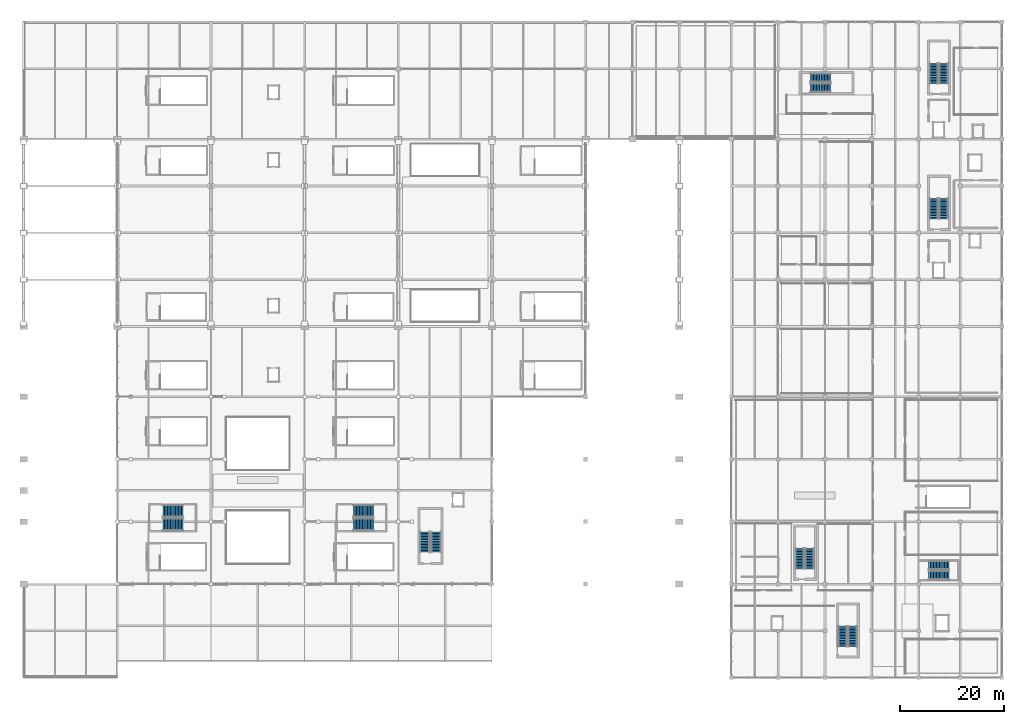
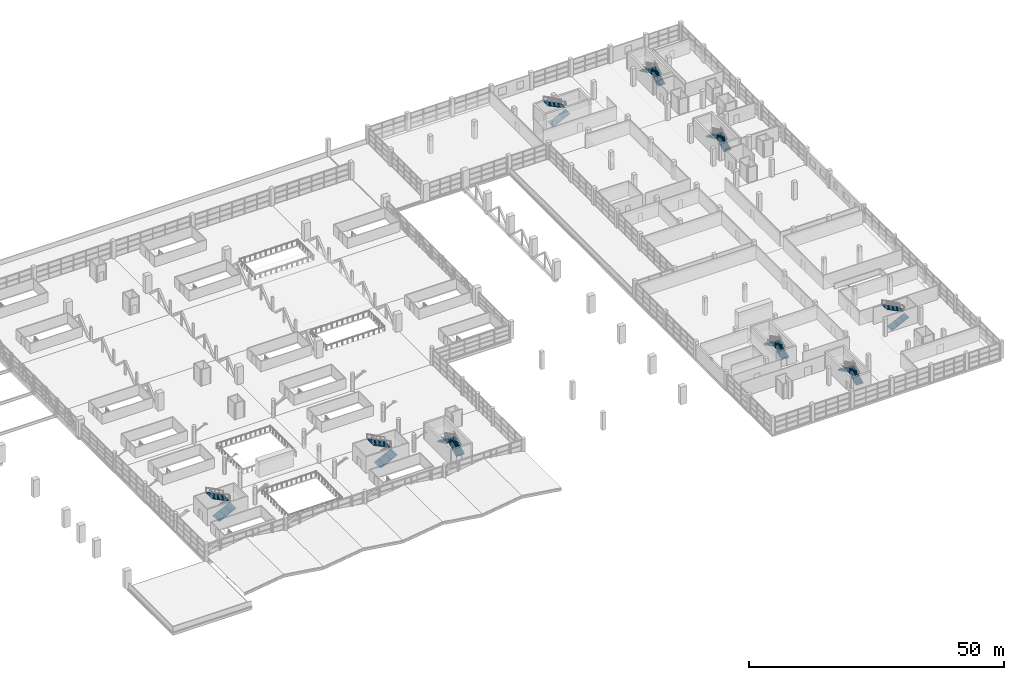
# One storey, part 124 of 136: 18 stair flights, 9 elements without a shape of their own.
"""IFC4 building model written with IfcOpenShell, lengths in metres."""

from ifc_helpers import new_model, si_unit, direction, frame, origin, place, context, subcontext, project, spatial, polyline, outline, extrude, material, type_object, element, aggregate, save


model = new_model("IFC4")

# Units and contexts
model_context = context("Model", 3, precision=1e-05, world=origin(), true_north=direction((0.0, 1.0)))
body_context = subcontext(model_context, "Body", "Model", "MODEL_VIEW")
ifc_project = project(units=[si_unit("LENGTHUNIT", "METRE"), si_unit("AREAUNIT", "SQUARE_METRE"), si_unit("VOLUMEUNIT", "CUBIC_METRE"), si_unit("PLANEANGLEUNIT", "RADIAN"), si_unit("MASSUNIT", "GRAM", prefix="KILO")], contexts=[model_context])

# Site, building, storey
site_placement = place(None, origin())
site = spatial("IfcSite", under=ifc_project, at=site_placement, CompositionType="ELEMENT")
building_placement = place(site_placement, origin())
building = spatial("IfcBuilding", under=site, at=building_placement, Name="Chuanluo Vaults Station", CompositionType="ELEMENT")
storey_placement = place(building_placement, frame((0.0, 0.0, 6.60009765625)))
storey = spatial("IfcBuildingStorey", under=building, at=storey_placement, Name="L01", CompositionType="ELEMENT", Elevation=6.60009765625)

# Stair, stair flights
ifc_material_1 = material(Name="Concrete C40", Category="concrete")
stair_type_1 = type_object("IfcStairType", Name="STR-TWO-1600", PredefinedType="HALF_TURN_STAIR", material=ifc_material_1)
stair_1_placement = place(storey_placement, origin())
stair_1 = element("IfcStair", 1, at=stair_1_placement, inside=storey, type_object=stair_type_1, Name="L01 ST-01", PredefinedType="HALF_TURN_STAIR")
ifc_material_2 = material(Name="Concrete C40", Category="concrete")
stair_flight_type_1 = type_object("IfcStairFlightType", Name="SFL-STR-1600", PredefinedType="STRAIGHT", material=ifc_material_2)
stair_flight_1_placement = place(storey_placement, frame((176.844970703125, 88.1875, 0.0), z_axis=(0.0, 0.0, 1.0), x_axis=(0.0, 1.0, 0.0)))
stair_flight_1 = element("IfcStairFlight", 2, at=stair_flight_1_placement, type_object=stair_flight_type_1, Name="ST-01 flight 1", NumberOfRisers=14, NumberOfTreads=13, PredefinedType="STRAIGHT", RiserHeight=0.15, TreadLength=0.3, context=body_context, shape_type="SweptSolid", body=[
    extrude(outline(polyline([(0.0, 0.0), (0.0, 0.14990234375), (0.300048828125, 0.14990234375), (0.300048828125, 0.300048828125), (0.60009765625, 0.300048828125), (0.60009765625, 0.449951171875), (0.89990234375, 0.449951171875), (0.89990234375, 0.60009765625), (1.199951171875, 0.60009765625), (1.199951171875, 0.75), (1.5, 0.75), (1.5, 0.89990234375), (1.800048828125, 0.89990234375), (1.800048828125, 1.050048828125), (2.10009765625, 1.050048828125), (2.10009765625, 1.199951171875), (2.39990234375, 1.199951171875), (2.39990234375, 1.35009765625), (2.699951171875, 1.35009765625), (2.699951171875, 1.5), (3.0, 1.5), (3.0, 1.64990234375), (3.300048828125, 1.64990234375), (3.300048828125, 1.800048828125), (3.60009765625, 1.800048828125), (3.60009765625, 1.949951171875), (3.89990234375, 1.949951171875), (3.89990234375, 2.10009765625), (3.89990234375, 1.748779296875), (0.40234375, 0.0), (0.0, 0.0)])), frame((0.0, 0.842529296875, 0.0), z_axis=(0.0, -1.0, 0.0), x_axis=(1.0, 0.0, 0.0)), (0.0, 0.0, 1.0), 1.68505859375),
])
stair_flight_2_placement = place(storey_placement, frame((174.909912109375, 92.08740234375, 2.099853515625), z_axis=(0.0, 0.0, 1.0), x_axis=(0.0, -1.0, 0.0)))
stair_flight_2 = element("IfcStairFlight", 3, at=stair_flight_2_placement, type_object=stair_flight_type_1, Name="ST-01 flight 2", NumberOfRisers=14, NumberOfTreads=13, PredefinedType="STRAIGHT", RiserHeight=0.15, TreadLength=0.3, context=body_context, shape_type="SweptSolid", body=[
    extrude(outline(polyline([(0.0, 0.0), (0.0, 0.14990234375), (0.300048828125, 0.14990234375), (0.300048828125, 0.300048828125), (0.60009765625, 0.300048828125), (0.60009765625, 0.449951171875), (0.89990234375, 0.449951171875), (0.89990234375, 0.60009765625), (1.199951171875, 0.60009765625), (1.199951171875, 0.75), (1.5, 0.75), (1.5, 0.89990234375), (1.800048828125, 0.89990234375), (1.800048828125, 1.050048828125), (2.10009765625, 1.050048828125), (2.10009765625, 1.199951171875), (2.39990234375, 1.199951171875), (2.39990234375, 1.35009765625), (2.699951171875, 1.35009765625), (2.699951171875, 1.5), (3.0, 1.5), (3.0, 1.64990234375), (3.300048828125, 1.64990234375), (3.300048828125, 1.800048828125), (3.60009765625, 1.800048828125), (3.60009765625, 1.949951171875), (3.89990234375, 1.949951171875), (3.89990234375, 2.10009765625), (3.89990234375, 1.748779296875), (0.40234375, 0.0), (0.0, 0.0)])), frame((0.0, 0.842529296875, 0.0), z_axis=(0.0, -1.0, 0.0), x_axis=(1.0, 0.0, 0.0)), (0.0, 0.0, 1.0), 1.68505859375),
])
aggregate(stair_1, [stair_flight_1, stair_flight_2])

stair_2_placement = place(storey_placement, origin())
stair_2 = element("IfcStair", 4, at=stair_2_placement, inside=storey, type_object=stair_type_1, Name="L01 ST-02", PredefinedType="HALF_TURN_STAIR")
stair_flight_3_placement = place(storey_placement, frame((176.844970703125, 114.1875, 0.0), z_axis=(0.0, 0.0, 1.0), x_axis=(0.0, 1.0, 0.0)))
stair_flight_3 = element("IfcStairFlight", 5, at=stair_flight_3_placement, type_object=stair_flight_type_1, Name="ST-02 flight 1", NumberOfRisers=14, NumberOfTreads=13, PredefinedType="STRAIGHT", RiserHeight=0.15, TreadLength=0.3, context=body_context, shape_type="SweptSolid", body=[
    extrude(outline(polyline([(0.0, 0.0), (0.0, 0.14990234375), (0.300048828125, 0.14990234375), (0.300048828125, 0.300048828125), (0.60009765625, 0.300048828125), (0.60009765625, 0.449951171875), (0.89990234375, 0.449951171875), (0.89990234375, 0.60009765625), (1.199951171875, 0.60009765625), (1.199951171875, 0.75), (1.5, 0.75), (1.5, 0.89990234375), (1.800048828125, 0.89990234375), (1.800048828125, 1.050048828125), (2.10009765625, 1.050048828125), (2.10009765625, 1.199951171875), (2.39990234375, 1.199951171875), (2.39990234375, 1.35009765625), (2.699951171875, 1.35009765625), (2.699951171875, 1.5), (3.0, 1.5), (3.0, 1.64990234375), (3.300048828125, 1.64990234375), (3.300048828125, 1.800048828125), (3.60009765625, 1.800048828125), (3.60009765625, 1.949951171875), (3.89990234375, 1.949951171875), (3.89990234375, 2.10009765625), (3.89990234375, 1.748779296875), (0.40234375, 0.0), (0.0, 0.0)])), frame((0.0, 0.842529296875, 0.0), z_axis=(0.0, -1.0, 0.0), x_axis=(1.0, 0.0, 0.0)), (0.0, 0.0, 1.0), 1.68505859375),
])
stair_flight_4_placement = place(storey_placement, frame((174.909912109375, 118.08740234375, 2.099853515625), z_axis=(0.0, 0.0, 1.0), x_axis=(0.0, -1.0, 0.0)))
stair_flight_4 = element("IfcStairFlight", 6, at=stair_flight_4_placement, type_object=stair_flight_type_1, Name="ST-02 flight 2", NumberOfRisers=14, NumberOfTreads=13, PredefinedType="STRAIGHT", RiserHeight=0.15, TreadLength=0.3, context=body_context, shape_type="SweptSolid", body=[
    extrude(outline(polyline([(0.0, 0.0), (0.0, 0.14990234375), (0.300048828125, 0.14990234375), (0.300048828125, 0.300048828125), (0.60009765625, 0.300048828125), (0.60009765625, 0.449951171875), (0.89990234375, 0.449951171875), (0.89990234375, 0.60009765625), (1.199951171875, 0.60009765625), (1.199951171875, 0.75), (1.5, 0.75), (1.5, 0.89990234375), (1.800048828125, 0.89990234375), (1.800048828125, 1.050048828125), (2.10009765625, 1.050048828125), (2.10009765625, 1.199951171875), (2.39990234375, 1.199951171875), (2.39990234375, 1.35009765625), (2.699951171875, 1.35009765625), (2.699951171875, 1.5), (3.0, 1.5), (3.0, 1.64990234375), (3.300048828125, 1.64990234375), (3.300048828125, 1.800048828125), (3.60009765625, 1.800048828125), (3.60009765625, 1.949951171875), (3.89990234375, 1.949951171875), (3.89990234375, 2.10009765625), (3.89990234375, 1.748779296875), (0.40234375, 0.0), (0.0, 0.0)])), frame((0.0, 0.842529296875, 0.0), z_axis=(0.0, -1.0, 0.0), x_axis=(1.0, 0.0, 0.0)), (0.0, 0.0, 1.0), 1.68505859375),
])
aggregate(stair_2, [stair_flight_3, stair_flight_4])

stair_3_placement = place(storey_placement, origin())
stair_3 = element("IfcStair", 7, at=stair_3_placement, inside=storey, type_object=stair_type_1, Name="L01 ST-03", PredefinedType="HALF_TURN_STAIR")
stair_flight_5_placement = place(storey_placement, frame((151.1875, 113.342529296875, 0.0), z_axis=(0.0, 0.0, 1.0), x_axis=(1.0, 0.0, 0.0)))
stair_flight_5 = element("IfcStairFlight", 8, at=stair_flight_5_placement, type_object=stair_flight_type_1, Name="ST-03 flight 1", NumberOfRisers=14, NumberOfTreads=13, PredefinedType="STRAIGHT", RiserHeight=0.15, TreadLength=0.3, context=body_context, shape_type="SweptSolid", body=[
    extrude(outline(polyline([(0.0, 0.0), (0.0, 0.14990234375), (0.300048828125, 0.14990234375), (0.300048828125, 0.300048828125), (0.60009765625, 0.300048828125), (0.60009765625, 0.449951171875), (0.89990234375, 0.449951171875), (0.89990234375, 0.60009765625), (1.199951171875, 0.60009765625), (1.199951171875, 0.75), (1.5, 0.75), (1.5, 0.89990234375), (1.800048828125, 0.89990234375), (1.800048828125, 1.050048828125), (2.10009765625, 1.050048828125), (2.10009765625, 1.199951171875), (2.39990234375, 1.199951171875), (2.39990234375, 1.35009765625), (2.699951171875, 1.35009765625), (2.699951171875, 1.5), (3.0, 1.5), (3.0, 1.64990234375), (3.300048828125, 1.64990234375), (3.300048828125, 1.800048828125), (3.60009765625, 1.800048828125), (3.60009765625, 1.949951171875), (3.89990234375, 1.949951171875), (3.89990234375, 2.10009765625), (3.89990234375, 1.748779296875), (0.40234375, 0.0), (0.0, 0.0)])), frame((0.0, 0.842529296875, 0.0), z_axis=(0.0, -1.0, 0.0), x_axis=(1.0, 0.0, 0.0)), (0.0, 0.0, 1.0), 1.68505859375),
])
stair_flight_6_placement = place(storey_placement, frame((155.08740234375, 115.277587890625, 2.099853515625), z_axis=(0.0, 0.0, 1.0), x_axis=(-1.0, 0.0, 0.0)))
stair_flight_6 = element("IfcStairFlight", 9, at=stair_flight_6_placement, type_object=stair_flight_type_1, Name="ST-03 flight 2", NumberOfRisers=14, NumberOfTreads=13, PredefinedType="STRAIGHT", RiserHeight=0.15, TreadLength=0.3, context=body_context, shape_type="SweptSolid", body=[
    extrude(outline(polyline([(0.0, 0.0), (0.0, 0.14990234375), (0.300048828125, 0.14990234375), (0.300048828125, 0.300048828125), (0.60009765625, 0.300048828125), (0.60009765625, 0.449951171875), (0.89990234375, 0.449951171875), (0.89990234375, 0.60009765625), (1.199951171875, 0.60009765625), (1.199951171875, 0.75), (1.5, 0.75), (1.5, 0.89990234375), (1.800048828125, 0.89990234375), (1.800048828125, 1.050048828125), (2.10009765625, 1.050048828125), (2.10009765625, 1.199951171875), (2.39990234375, 1.199951171875), (2.39990234375, 1.35009765625), (2.699951171875, 1.35009765625), (2.699951171875, 1.5), (3.0, 1.5), (3.0, 1.64990234375), (3.300048828125, 1.64990234375), (3.300048828125, 1.800048828125), (3.60009765625, 1.800048828125), (3.60009765625, 1.949951171875), (3.89990234375, 1.949951171875), (3.89990234375, 2.10009765625), (3.89990234375, 1.748779296875), (0.40234375, 0.0), (0.0, 0.0)])), frame((0.0, 0.842529296875, 0.0), z_axis=(0.0, -1.0, 0.0), x_axis=(1.0, 0.0, 0.0)), (0.0, 0.0, 1.0), 1.68505859375),
])
aggregate(stair_3, [stair_flight_5, stair_flight_6])

stair_4_placement = place(storey_placement, origin())
stair_4 = element("IfcStair", 10, at=stair_4_placement, inside=storey, type_object=stair_type_1, Name="L01 ST-04", PredefinedType="HALF_TURN_STAIR")
stair_flight_7_placement = place(storey_placement, frame((151.094970703125, 20.9375, 0.0), z_axis=(0.0, 0.0, 1.0), x_axis=(0.0, 1.0, 0.0)))
stair_flight_7 = element("IfcStairFlight", 11, at=stair_flight_7_placement, type_object=stair_flight_type_1, Name="ST-04 flight 1", NumberOfRisers=14, NumberOfTreads=13, PredefinedType="STRAIGHT", RiserHeight=0.15, TreadLength=0.3, context=body_context, shape_type="SweptSolid", body=[
    extrude(outline(polyline([(0.0, 0.0), (0.0, 0.14990234375), (0.300048828125, 0.14990234375), (0.300048828125, 0.300048828125), (0.60009765625, 0.300048828125), (0.60009765625, 0.449951171875), (0.89990234375, 0.449951171875), (0.89990234375, 0.60009765625), (1.199951171875, 0.60009765625), (1.199951171875, 0.75), (1.5, 0.75), (1.5, 0.89990234375), (1.800048828125, 0.89990234375), (1.800048828125, 1.050048828125), (2.10009765625, 1.050048828125), (2.10009765625, 1.199951171875), (2.39990234375, 1.199951171875), (2.39990234375, 1.35009765625), (2.699951171875, 1.35009765625), (2.699951171875, 1.5), (3.0, 1.5), (3.0, 1.64990234375), (3.300048828125, 1.64990234375), (3.300048828125, 1.800048828125), (3.60009765625, 1.800048828125), (3.60009765625, 1.949951171875), (3.89990234375, 1.949951171875), (3.89990234375, 2.10009765625), (3.89990234375, 1.748779296875), (0.40234375, 0.0), (0.0, 0.0)])), frame((0.0, 0.842529296875, 0.0), z_axis=(0.0, -1.0, 0.0), x_axis=(1.0, 0.0, 0.0)), (0.0, 0.0, 1.0), 1.68505859375),
])
stair_flight_8_placement = place(storey_placement, frame((149.159912109375, 24.83740234375, 2.099853515625), z_axis=(0.0, 0.0, 1.0), x_axis=(0.0, -1.0, 0.0)))
stair_flight_8 = element("IfcStairFlight", 12, at=stair_flight_8_placement, type_object=stair_flight_type_1, Name="ST-04 flight 2", NumberOfRisers=14, NumberOfTreads=13, PredefinedType="STRAIGHT", RiserHeight=0.15, TreadLength=0.3, context=body_context, shape_type="SweptSolid", body=[
    extrude(outline(polyline([(0.0, 0.0), (0.0, 0.14990234375), (0.300048828125, 0.14990234375), (0.300048828125, 0.300048828125), (0.60009765625, 0.300048828125), (0.60009765625, 0.449951171875), (0.89990234375, 0.449951171875), (0.89990234375, 0.60009765625), (1.199951171875, 0.60009765625), (1.199951171875, 0.75), (1.5, 0.75), (1.5, 0.89990234375), (1.800048828125, 0.89990234375), (1.800048828125, 1.050048828125), (2.10009765625, 1.050048828125), (2.10009765625, 1.199951171875), (2.39990234375, 1.199951171875), (2.39990234375, 1.35009765625), (2.699951171875, 1.35009765625), (2.699951171875, 1.5), (3.0, 1.5), (3.0, 1.64990234375), (3.300048828125, 1.64990234375), (3.300048828125, 1.800048828125), (3.60009765625, 1.800048828125), (3.60009765625, 1.949951171875), (3.89990234375, 1.949951171875), (3.89990234375, 2.10009765625), (3.89990234375, 1.748779296875), (0.40234375, 0.0), (0.0, 0.0)])), frame((0.0, 0.842529296875, 0.0), z_axis=(0.0, -1.0, 0.0), x_axis=(1.0, 0.0, 0.0)), (0.0, 0.0, 1.0), 1.68505859375),
])
aggregate(stair_4, [stair_flight_7, stair_flight_8])

stair_5_placement = place(storey_placement, origin())
stair_5 = element("IfcStair", 13, at=stair_5_placement, inside=storey, type_object=stair_type_1, Name="L01 ST-05", PredefinedType="HALF_TURN_STAIR")
stair_flight_9_placement = place(storey_placement, frame((159.344970703125, 6.0, 0.0), z_axis=(0.0, 0.0, 1.0), x_axis=(0.0, 1.0, 0.0)))
stair_flight_9 = element("IfcStairFlight", 14, at=stair_flight_9_placement, type_object=stair_flight_type_1, Name="ST-05 flight 1", NumberOfRisers=14, NumberOfTreads=13, PredefinedType="STRAIGHT", RiserHeight=0.15, TreadLength=0.3, context=body_context, shape_type="SweptSolid", body=[
    extrude(outline(polyline([(0.0, 0.0), (0.0, 0.14990234375), (0.300048828125, 0.14990234375), (0.300048828125, 0.300048828125), (0.60009765625, 0.300048828125), (0.60009765625, 0.449951171875), (0.89990234375, 0.449951171875), (0.89990234375, 0.60009765625), (1.199951171875, 0.60009765625), (1.199951171875, 0.75), (1.5, 0.75), (1.5, 0.89990234375), (1.800048828125, 0.89990234375), (1.800048828125, 1.050048828125), (2.10009765625, 1.050048828125), (2.10009765625, 1.199951171875), (2.39990234375, 1.199951171875), (2.39990234375, 1.35009765625), (2.699951171875, 1.35009765625), (2.699951171875, 1.5), (3.0, 1.5), (3.0, 1.64990234375), (3.300048828125, 1.64990234375), (3.300048828125, 1.800048828125), (3.60009765625, 1.800048828125), (3.60009765625, 1.949951171875), (3.89990234375, 1.949951171875), (3.89990234375, 2.10009765625), (3.89990234375, 1.748779296875), (0.40234375, 0.0), (0.0, 0.0)])), frame((0.0, 0.842529296875, 0.0), z_axis=(0.0, -1.0, 0.0), x_axis=(1.0, 0.0, 0.0)), (0.0, 0.0, 1.0), 1.68505859375),
])
stair_flight_10_placement = place(storey_placement, frame((157.409912109375, 9.89990234375, 2.099853515625), z_axis=(0.0, 0.0, 1.0), x_axis=(0.0, -1.0, 0.0)))
stair_flight_10 = element("IfcStairFlight", 15, at=stair_flight_10_placement, type_object=stair_flight_type_1, Name="ST-05 flight 2", NumberOfRisers=14, NumberOfTreads=13, PredefinedType="STRAIGHT", RiserHeight=0.15, TreadLength=0.3, context=body_context, shape_type="SweptSolid", body=[
    extrude(outline(polyline([(0.0, 0.0), (0.0, 0.14990234375), (0.300048828125, 0.14990234375), (0.300048828125, 0.300048828125), (0.60009765625, 0.300048828125), (0.60009765625, 0.449951171875), (0.89990234375, 0.449951171875), (0.89990234375, 0.60009765625), (1.199951171875, 0.60009765625), (1.199951171875, 0.75), (1.5, 0.75), (1.5, 0.89990234375), (1.800048828125, 0.89990234375), (1.800048828125, 1.050048828125), (2.10009765625, 1.050048828125), (2.10009765625, 1.199951171875), (2.39990234375, 1.199951171875), (2.39990234375, 1.35009765625), (2.699951171875, 1.35009765625), (2.699951171875, 1.5), (3.0, 1.5), (3.0, 1.64990234375), (3.300048828125, 1.64990234375), (3.300048828125, 1.800048828125), (3.60009765625, 1.800048828125), (3.60009765625, 1.949951171875), (3.89990234375, 1.949951171875), (3.89990234375, 2.10009765625), (3.89990234375, 1.748779296875), (0.40234375, 0.0), (0.0, 0.0)])), frame((0.0, 0.842529296875, 0.0), z_axis=(0.0, -1.0, 0.0), x_axis=(1.0, 0.0, 0.0)), (0.0, 0.0, 1.0), 1.68505859375),
])
aggregate(stair_5, [stair_flight_9, stair_flight_10])

stair_6_placement = place(storey_placement, origin())
stair_6 = element("IfcStair", 16, at=stair_6_placement, inside=storey, type_object=stair_type_1, Name="L01 ST-27", PredefinedType="HALF_TURN_STAIR")
stair_flight_11_placement = place(storey_placement, frame((173.9375, 19.655029296875, 0.0), z_axis=(0.0, 0.0, 1.0), x_axis=(1.0, 0.0, 0.0)))
stair_flight_11 = element("IfcStairFlight", 17, at=stair_flight_11_placement, type_object=stair_flight_type_1, Name="ST-27 flight 1", NumberOfRisers=14, NumberOfTreads=13, PredefinedType="STRAIGHT", RiserHeight=0.15, TreadLength=0.3, context=body_context, shape_type="SweptSolid", body=[
    extrude(outline(polyline([(0.0, 0.0), (0.0, 0.14990234375), (0.300048828125, 0.14990234375), (0.300048828125, 0.300048828125), (0.60009765625, 0.300048828125), (0.60009765625, 0.449951171875), (0.89990234375, 0.449951171875), (0.89990234375, 0.60009765625), (1.199951171875, 0.60009765625), (1.199951171875, 0.75), (1.5, 0.75), (1.5, 0.89990234375), (1.800048828125, 0.89990234375), (1.800048828125, 1.050048828125), (2.10009765625, 1.050048828125), (2.10009765625, 1.199951171875), (2.39990234375, 1.199951171875), (2.39990234375, 1.35009765625), (2.699951171875, 1.35009765625), (2.699951171875, 1.5), (3.0, 1.5), (3.0, 1.64990234375), (3.300048828125, 1.64990234375), (3.300048828125, 1.800048828125), (3.60009765625, 1.800048828125), (3.60009765625, 1.949951171875), (3.89990234375, 1.949951171875), (3.89990234375, 2.10009765625), (3.89990234375, 1.748779296875), (0.40234375, 0.0), (0.0, 0.0)])), frame((0.0, 0.842529296875, 0.0), z_axis=(0.0, -1.0, 0.0), x_axis=(1.0, 0.0, 0.0)), (0.0, 0.0, 1.0), 1.68505859375),
])
stair_flight_12_placement = place(storey_placement, frame((177.83740234375, 21.590087890625, 2.099853515625), z_axis=(0.0, 0.0, 1.0), x_axis=(-1.0, 0.0, 0.0)))
stair_flight_12 = element("IfcStairFlight", 18, at=stair_flight_12_placement, type_object=stair_flight_type_1, Name="ST-27 flight 2", NumberOfRisers=14, NumberOfTreads=13, PredefinedType="STRAIGHT", RiserHeight=0.15, TreadLength=0.3, context=body_context, shape_type="SweptSolid", body=[
    extrude(outline(polyline([(0.0, 0.0), (0.0, 0.14990234375), (0.300048828125, 0.14990234375), (0.300048828125, 0.300048828125), (0.60009765625, 0.300048828125), (0.60009765625, 0.449951171875), (0.89990234375, 0.449951171875), (0.89990234375, 0.60009765625), (1.199951171875, 0.60009765625), (1.199951171875, 0.75), (1.5, 0.75), (1.5, 0.89990234375), (1.800048828125, 0.89990234375), (1.800048828125, 1.050048828125), (2.10009765625, 1.050048828125), (2.10009765625, 1.199951171875), (2.39990234375, 1.199951171875), (2.39990234375, 1.35009765625), (2.699951171875, 1.35009765625), (2.699951171875, 1.5), (3.0, 1.5), (3.0, 1.64990234375), (3.300048828125, 1.64990234375), (3.300048828125, 1.800048828125), (3.60009765625, 1.800048828125), (3.60009765625, 1.949951171875), (3.89990234375, 1.949951171875), (3.89990234375, 2.10009765625), (3.89990234375, 1.748779296875), (0.40234375, 0.0), (0.0, 0.0)])), frame((0.0, 0.842529296875, 0.0), z_axis=(0.0, -1.0, 0.0), x_axis=(1.0, 0.0, 0.0)), (0.0, 0.0, 1.0), 1.68505859375),
])
aggregate(stair_6, [stair_flight_11, stair_flight_12])

ifc_material_3 = material(Name="Concrete C40", Category="concrete")
stair_type_2 = type_object("IfcStairType", Name="STR-TWO-1800", PredefinedType="HALF_TURN_STAIR", material=ifc_material_3)
stair_7_placement = place(storey_placement, origin())
stair_7 = element("IfcStair", 19, at=stair_7_placement, inside=storey, type_object=stair_type_2, Name="L01 ST-06", PredefinedType="HALF_TURN_STAIR")
ifc_material_4 = material(Name="Concrete C40", Category="concrete")
stair_flight_type_2 = type_object("IfcStairFlightType", Name="SFL-STR-1800", PredefinedType="STRAIGHT", material=ifc_material_4)
stair_flight_13_placement = place(storey_placement, frame((79.25, 24.125, 0.0), z_axis=(0.0, 0.0, 1.0), x_axis=(0.0, 1.0, 0.0)))
stair_flight_13 = element("IfcStairFlight", 20, at=stair_flight_13_placement, type_object=stair_flight_type_2, Name="ST-06 flight 1", NumberOfRisers=14, NumberOfTreads=13, PredefinedType="STRAIGHT", RiserHeight=0.15, TreadLength=0.3, context=body_context, shape_type="SweptSolid", body=[
    extrude(outline(polyline([(0.0, 0.0), (0.0, 0.14990234375), (0.300048828125, 0.14990234375), (0.300048828125, 0.300048828125), (0.60009765625, 0.300048828125), (0.60009765625, 0.449951171875), (0.89990234375, 0.449951171875), (0.89990234375, 0.60009765625), (1.199951171875, 0.60009765625), (1.199951171875, 0.75), (1.5, 0.75), (1.5, 0.89990234375), (1.800048828125, 0.89990234375), (1.800048828125, 1.050048828125), (2.10009765625, 1.050048828125), (2.10009765625, 1.199951171875), (2.39990234375, 1.199951171875), (2.39990234375, 1.35009765625), (2.699951171875, 1.35009765625), (2.699951171875, 1.5), (3.0, 1.5), (3.0, 1.64990234375), (3.300048828125, 1.64990234375), (3.300048828125, 1.800048828125), (3.60009765625, 1.800048828125), (3.60009765625, 1.949951171875), (3.89990234375, 1.949951171875), (3.89990234375, 2.10009765625), (3.89990234375, 1.748779296875), (0.40234375, 0.0), (0.0, 0.0)])), frame((0.0, 0.9375, 0.0), z_axis=(0.0, -1.0, 0.0), x_axis=(1.0, 0.0, 0.0)), (0.0, 0.0, 1.0), 1.875),
])
stair_flight_14_placement = place(storey_placement, frame((77.125, 28.02490234375, 2.099853515625), z_axis=(0.0, 0.0, 1.0), x_axis=(0.0, -1.0, 0.0)))
stair_flight_14 = element("IfcStairFlight", 21, at=stair_flight_14_placement, type_object=stair_flight_type_2, Name="ST-06 flight 2", NumberOfRisers=14, NumberOfTreads=13, PredefinedType="STRAIGHT", RiserHeight=0.15, TreadLength=0.3, context=body_context, shape_type="SweptSolid", body=[
    extrude(outline(polyline([(0.0, 0.0), (0.0, 0.14990234375), (0.300048828125, 0.14990234375), (0.300048828125, 0.300048828125), (0.60009765625, 0.300048828125), (0.60009765625, 0.449951171875), (0.89990234375, 0.449951171875), (0.89990234375, 0.60009765625), (1.199951171875, 0.60009765625), (1.199951171875, 0.75), (1.5, 0.75), (1.5, 0.89990234375), (1.800048828125, 0.89990234375), (1.800048828125, 1.050048828125), (2.10009765625, 1.050048828125), (2.10009765625, 1.199951171875), (2.39990234375, 1.199951171875), (2.39990234375, 1.35009765625), (2.699951171875, 1.35009765625), (2.699951171875, 1.5), (3.0, 1.5), (3.0, 1.64990234375), (3.300048828125, 1.64990234375), (3.300048828125, 1.800048828125), (3.60009765625, 1.800048828125), (3.60009765625, 1.949951171875), (3.89990234375, 1.949951171875), (3.89990234375, 2.10009765625), (3.89990234375, 1.748779296875), (0.40234375, 0.0), (0.0, 0.0)])), frame((0.0, 0.9375, 0.0), z_axis=(0.0, -1.0, 0.0), x_axis=(1.0, 0.0, 0.0)), (0.0, 0.0, 1.0), 1.875),
])
aggregate(stair_7, [stair_flight_13, stair_flight_14])

ifc_material_5 = material(Name="Concrete C40", Category="concrete")
stair_type_3 = type_object("IfcStairType", Name="STR-TWO-2400", PredefinedType="HALF_TURN_STAIR", material=ifc_material_5)
stair_8_placement = place(storey_placement, origin())
stair_8 = element("IfcStair", 22, at=stair_8_placement, inside=storey, type_object=stair_type_3, Name="L01 ST-22", PredefinedType="HALF_TURN_STAIR")
ifc_material_6 = material(Name="Concrete C40", Category="concrete")
stair_flight_type_3 = type_object("IfcStairFlightType", Name="SFL-STR-2400", PredefinedType="STRAIGHT", material=ifc_material_6)
stair_flight_15_placement = place(storey_placement, frame((26.75, 29.4375, 0.0), z_axis=(0.0, 0.0, 1.0), x_axis=(1.0, 0.0, 0.0)))
stair_flight_15 = element("IfcStairFlight", 23, at=stair_flight_15_placement, type_object=stair_flight_type_3, Name="ST-22 flight 1", NumberOfRisers=14, NumberOfTreads=13, PredefinedType="STRAIGHT", RiserHeight=0.15, TreadLength=0.3, context=body_context, shape_type="SweptSolid", body=[
    extrude(outline(polyline([(0.0, 0.0), (0.0, 0.14990234375), (0.300048828125, 0.14990234375), (0.300048828125, 0.300048828125), (0.60009765625, 0.300048828125), (0.60009765625, 0.449951171875), (0.89990234375, 0.449951171875), (0.89990234375, 0.60009765625), (1.199951171875, 0.60009765625), (1.199951171875, 0.75), (1.5, 0.75), (1.5, 0.89990234375), (1.800048828125, 0.89990234375), (1.800048828125, 1.050048828125), (2.10009765625, 1.050048828125), (2.10009765625, 1.199951171875), (2.39990234375, 1.199951171875), (2.39990234375, 1.35009765625), (2.699951171875, 1.35009765625), (2.699951171875, 1.5), (3.0, 1.5), (3.0, 1.64990234375), (3.300048828125, 1.64990234375), (3.300048828125, 1.800048828125), (3.60009765625, 1.800048828125), (3.60009765625, 1.949951171875), (3.89990234375, 1.949951171875), (3.89990234375, 2.10009765625), (3.89990234375, 1.748779296875), (0.40234375, 0.0), (0.0, 0.0)])), frame((0.0, 1.1875, 0.0), z_axis=(0.0, -1.0, 0.0), x_axis=(1.0, 0.0, 0.0)), (0.0, 0.0, 1.0), 2.375),
])
stair_flight_16_placement = place(storey_placement, frame((30.64990234375, 32.0625, 2.099853515625), z_axis=(0.0, 0.0, 1.0), x_axis=(-1.0, 0.0, 0.0)))
stair_flight_16 = element("IfcStairFlight", 24, at=stair_flight_16_placement, type_object=stair_flight_type_3, Name="ST-22 flight 2", NumberOfRisers=14, NumberOfTreads=13, PredefinedType="STRAIGHT", RiserHeight=0.15, TreadLength=0.3, context=body_context, shape_type="SweptSolid", body=[
    extrude(outline(polyline([(0.0, 0.0), (0.0, 0.14990234375), (0.300048828125, 0.14990234375), (0.300048828125, 0.300048828125), (0.60009765625, 0.300048828125), (0.60009765625, 0.449951171875), (0.89990234375, 0.449951171875), (0.89990234375, 0.60009765625), (1.199951171875, 0.60009765625), (1.199951171875, 0.75), (1.5, 0.75), (1.5, 0.89990234375), (1.800048828125, 0.89990234375), (1.800048828125, 1.050048828125), (2.10009765625, 1.050048828125), (2.10009765625, 1.199951171875), (2.39990234375, 1.199951171875), (2.39990234375, 1.35009765625), (2.699951171875, 1.35009765625), (2.699951171875, 1.5), (3.0, 1.5), (3.0, 1.64990234375), (3.300048828125, 1.64990234375), (3.300048828125, 1.800048828125), (3.60009765625, 1.800048828125), (3.60009765625, 1.949951171875), (3.89990234375, 1.949951171875), (3.89990234375, 2.10009765625), (3.89990234375, 1.748779296875), (0.40234375, 0.0), (0.0, 0.0)])), frame((0.0, 1.1875, 0.0), z_axis=(0.0, -1.0, 0.0), x_axis=(1.0, 0.0, 0.0)), (0.0, 0.0, 1.0), 2.375),
])
aggregate(stair_8, [stair_flight_15, stair_flight_16])

stair_9_placement = place(storey_placement, origin())
stair_9 = element("IfcStair", 25, at=stair_9_placement, inside=storey, type_object=stair_type_3, Name="L01 ST-23", PredefinedType="HALF_TURN_STAIR")
stair_flight_17_placement = place(storey_placement, frame((63.35009765625, 29.4375, 0.0), z_axis=(0.0, 0.0, 1.0), x_axis=(1.0, 0.0, 0.0)))
stair_flight_17 = element("IfcStairFlight", 26, at=stair_flight_17_placement, type_object=stair_flight_type_3, Name="ST-23 flight 1", NumberOfRisers=14, NumberOfTreads=13, PredefinedType="STRAIGHT", RiserHeight=0.15, TreadLength=0.3, context=body_context, shape_type="SweptSolid", body=[
    extrude(outline(polyline([(0.0, 0.0), (0.0, 0.14990234375), (0.300048828125, 0.14990234375), (0.300048828125, 0.300048828125), (0.60009765625, 0.300048828125), (0.60009765625, 0.449951171875), (0.89990234375, 0.449951171875), (0.89990234375, 0.60009765625), (1.199951171875, 0.60009765625), (1.199951171875, 0.75), (1.5, 0.75), (1.5, 0.89990234375), (1.800048828125, 0.89990234375), (1.800048828125, 1.050048828125), (2.10009765625, 1.050048828125), (2.10009765625, 1.199951171875), (2.39990234375, 1.199951171875), (2.39990234375, 1.35009765625), (2.699951171875, 1.35009765625), (2.699951171875, 1.5), (3.0, 1.5), (3.0, 1.64990234375), (3.300048828125, 1.64990234375), (3.300048828125, 1.800048828125), (3.60009765625, 1.800048828125), (3.60009765625, 1.949951171875), (3.89990234375, 1.949951171875), (3.89990234375, 2.10009765625), (3.89990234375, 1.748779296875), (0.40234375, 0.0), (0.0, 0.0)])), frame((0.0, 1.1875, 0.0), z_axis=(0.0, -1.0, 0.0), x_axis=(1.0, 0.0, 0.0)), (0.0, 0.0, 1.0), 2.375),
])
stair_flight_18_placement = place(storey_placement, frame((67.25, 32.0625, 2.099853515625), z_axis=(0.0, 0.0, 1.0), x_axis=(-1.0, 0.0, 0.0)))
stair_flight_18 = element("IfcStairFlight", 27, at=stair_flight_18_placement, type_object=stair_flight_type_3, Name="ST-23 flight 2", NumberOfRisers=14, NumberOfTreads=13, PredefinedType="STRAIGHT", RiserHeight=0.15, TreadLength=0.3, context=body_context, shape_type="SweptSolid", body=[
    extrude(outline(polyline([(0.0, 0.0), (0.0, 0.14990234375), (0.300048828125, 0.14990234375), (0.300048828125, 0.300048828125), (0.60009765625, 0.300048828125), (0.60009765625, 0.449951171875), (0.89990234375, 0.449951171875), (0.89990234375, 0.60009765625), (1.199951171875, 0.60009765625), (1.199951171875, 0.75), (1.5, 0.75), (1.5, 0.89990234375), (1.800048828125, 0.89990234375), (1.800048828125, 1.050048828125), (2.10009765625, 1.050048828125), (2.10009765625, 1.199951171875), (2.39990234375, 1.199951171875), (2.39990234375, 1.35009765625), (2.699951171875, 1.35009765625), (2.699951171875, 1.5), (3.0, 1.5), (3.0, 1.64990234375), (3.300048828125, 1.64990234375), (3.300048828125, 1.800048828125), (3.60009765625, 1.800048828125), (3.60009765625, 1.949951171875), (3.89990234375, 1.949951171875), (3.89990234375, 2.10009765625), (3.89990234375, 1.748779296875), (0.40234375, 0.0), (0.0, 0.0)])), frame((0.0, 1.1875, 0.0), z_axis=(0.0, -1.0, 0.0), x_axis=(1.0, 0.0, 0.0)), (0.0, 0.0, 1.0), 2.375),
])
aggregate(stair_9, [stair_flight_17, stair_flight_18])

save(model, "model.ifc")
